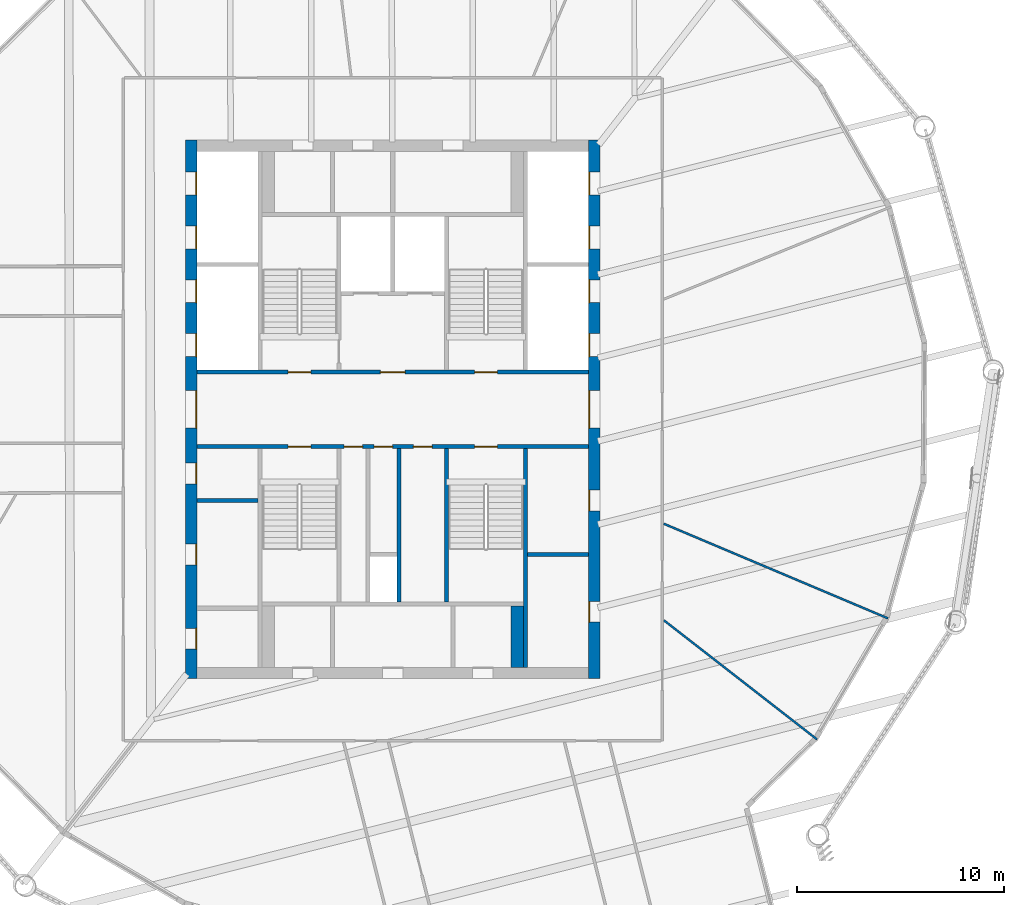
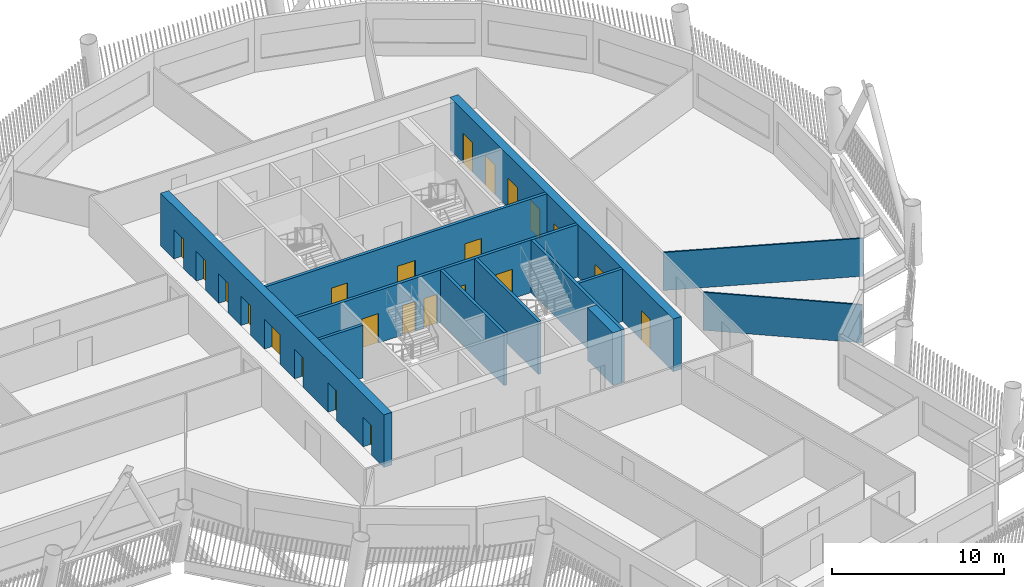
# One storey, part 5 of 22: 23 doors, 12 walls, 23 openings.
"""IFC4 building model written with IfcOpenShell, lengths in metres."""

from ifc_helpers import new_model, si_unit, direction, frame, frame_2d, origin, place, context, subcontext, project, spatial, rectangle, extrude, material, layer, layer_set, type_object, element, fill, save


model = new_model("IFC4")

# Units and contexts
model_context = context("Model", 3, precision=1e-05, world=origin(), true_north=direction((0.0, 1.0)))
body_context = subcontext(model_context, "Body", "Model", "MODEL_VIEW")
ifc_project = project(units=[si_unit("LENGTHUNIT", "METRE"), si_unit("AREAUNIT", "SQUARE_METRE"), si_unit("VOLUMEUNIT", "CUBIC_METRE"), si_unit("PLANEANGLEUNIT", "RADIAN"), si_unit("MASSUNIT", "GRAM", prefix="KILO")], contexts=[model_context])

# Site, building, storey
site_placement = place(None, origin())
site = spatial("IfcSite", under=ifc_project, at=site_placement, CompositionType="ELEMENT")
building_placement = place(site_placement, origin())
building = spatial("IfcBuilding", under=site, at=building_placement, Name="Tarsis Ring Headquarters", CompositionType="ELEMENT")
storey_placement = place(building_placement, frame((0.0, 0.0, 286.39990234375)))
storey = spatial("IfcBuildingStorey", under=building, at=storey_placement, Name="L67", CompositionType="ELEMENT", Elevation=286.39990234375)

# Walls
ifc_material_1 = material(Name="Blockwork", Category="masonry")
ifc_layer_1 = layer(ifc_material_1, 0.199951171875)
ifc_layer_set_1 = layer_set([ifc_layer_1], Name="Core blockwork wall 200")
wall_type_1 = type_object("IfcWallType", Name="Core blockwork wall 200", PredefinedType="PARTITIONING", material=ifc_layer_set_1)
for number, where, z_axis, x_axis, name in (
    (1, (-9.449951171875, -4.39990234375, 0.0), (0.0, 0.0, 1.0), (1.0, 0.0, 0.0), "Core partition WD3"),
    (2, (6.5, -7.0, 0.0), (0.0, 0.0, 1.0), (1.0, 0.0, 0.0), "Core partition ED2"),
):
    element("IfcWall", number, at=place(storey_placement, frame(where, z_axis=z_axis, x_axis=x_axis)), inside=storey, type_object=wall_type_1, Name=name, PredefinedType="PARTITIONING", context=body_context, shape_type="SweptSolid", body=[
        extrude(rectangle(XDim=2.949951171875, YDim=0.199951171875, at=frame_2d((1.47509765625, 0.0))), origin(), (0.0, 0.0, 1.0), 3.739990234375),
    ])
wall_1_placement = place(storey_placement, frame((0.300048828125, -9.300048828125, 0.0), z_axis=(0.0, 0.0, 1.0), x_axis=(0.0, 1.0, 0.0)))
element("IfcWall", 3, at=wall_1_placement, inside=storey, type_object=wall_type_1, Name="Core partition SV2", PredefinedType="PARTITIONING", context=body_context, shape_type="SweptSolid", body=[
    extrude(rectangle(XDim=7.400146484375, YDim=0.199951171875, at=frame_2d((3.7001953125, 0.0))), origin(), (0.0, 0.0, 1.0), 3.739990234375),
])

# Wall, openings, doors
ifc_material_2 = material(Name="Concrete C50/60", Category="concrete")
ifc_layer_2 = layer(ifc_material_2, 0.550048828125)
ifc_layer_set_2 = layer_set([ifc_layer_2], Name="Core wall 550 C50/60")
wall_type_2 = type_object("IfcWallType", Name="Core wall 550 C50/60", PredefinedType="SHEAR", material=ifc_layer_set_2)
wall_2_placement = place(storey_placement, frame((-9.72509765625, -13.0, 0.0), z_axis=(0.0, 0.0, 1.0), x_axis=(0.0, 1.0, 0.0)))
wall_2 = element("IfcWall", 4, at=wall_2_placement, inside=storey, type_object=wall_type_2, Name="Core wall OW", PredefinedType="SHEAR", context=body_context, shape_type="SweptSolid", body=[
    extrude(rectangle(XDim=26.0, YDim=0.550048828125, at=frame_2d((13.0, 0.0))), origin(), (0.0, 0.0, 1.0), 3.739990234375),
])
opening_1_placement = place(wall_2_placement, frame((1.425048828125, 0.0, 0.0)))
opening_1 = element("IfcOpeningElement", 5, at=opening_1_placement, cuts=wall_2, Name="Opening L67-C01", PredefinedType="OPENING", context=body_context, shape_type="SweptSolid", body=[
    extrude(rectangle(XDim=1.0, YDim=2.10009765625, at=frame_2d((0.5, 1.050048828125))), frame((0.0, 0.284912109375, 0.0), z_axis=(0.0, -1.0, 0.0), x_axis=(1.0, 0.0, 0.0)), (0.0, 0.0, 1.0), 0.570068359375),
])
opening_2_placement = place(wall_2_placement, frame((5.5, 0.0, 0.0)))
opening_2 = element("IfcOpeningElement", 6, at=opening_2_placement, cuts=wall_2, Name="Opening L67-C02", PredefinedType="OPENING", context=body_context, shape_type="SweptSolid", body=[
    extrude(rectangle(XDim=1.0, YDim=2.10009765625, at=frame_2d((0.5, 1.050048828125))), frame((0.0, 0.284912109375, 0.0), z_axis=(0.0, -1.0, 0.0), x_axis=(1.0, 0.0, 0.0)), (0.0, 0.0, 1.0), 0.570068359375),
])
opening_3_placement = place(wall_2_placement, frame((9.39990234375, 0.0, 0.0)))
opening_3 = element("IfcOpeningElement", 7, at=opening_3_placement, cuts=wall_2, Name="Opening L67-C03", PredefinedType="OPENING", context=body_context, shape_type="SweptSolid", body=[
    extrude(rectangle(XDim=1.0, YDim=2.10009765625, at=frame_2d((0.5, 1.050048828125))), frame((0.0, 0.284912109375, 0.0), z_axis=(0.0, -1.0, 0.0), x_axis=(1.0, 0.0, 0.0)), (0.0, 0.0, 1.0), 0.570068359375),
])
opening_4_placement = place(wall_2_placement, frame((12.10009765625, 0.0, 0.0)))
opening_4 = element("IfcOpeningElement", 8, at=opening_4_placement, cuts=wall_2, Name="Opening L67-C04", PredefinedType="OPENING", context=body_context, shape_type="SweptSolid", body=[
    extrude(rectangle(XDim=1.800048828125, YDim=2.10009765625, at=frame_2d((0.89990234375, 1.050048828125))), frame((0.0, 0.284912109375, 0.0), z_axis=(0.0, -1.0, 0.0), x_axis=(1.0, 0.0, 0.0)), (0.0, 0.0, 1.0), 0.570068359375),
])
opening_5_placement = place(wall_2_placement, frame((15.550048828125, 0.0, 0.0)))
opening_5 = element("IfcOpeningElement", 9, at=opening_5_placement, cuts=wall_2, Name="Opening LD-HR1", PredefinedType="OPENING", context=body_context, shape_type="SweptSolid", body=[
    extrude(rectangle(XDim=1.10009765625, YDim=2.10009765625, at=frame_2d((0.550048828125, 1.050048828125))), frame((0.0, 0.284912109375, 0.0), z_axis=(0.0, -1.0, 0.0), x_axis=(1.0, 0.0, 0.0)), (0.0, 0.0, 1.0), 0.570068359375),
])
opening_6_placement = place(wall_2_placement, frame((18.14990234375, 0.0, 0.0)))
opening_6 = element("IfcOpeningElement", 10, at=opening_6_placement, cuts=wall_2, Name="Opening LD-HR2", PredefinedType="OPENING", context=body_context, shape_type="SweptSolid", body=[
    extrude(rectangle(XDim=1.10009765625, YDim=2.10009765625, at=frame_2d((0.550048828125, 1.050048828125))), frame((0.0, 0.284912109375, 0.0), z_axis=(0.0, -1.0, 0.0), x_axis=(1.0, 0.0, 0.0)), (0.0, 0.0, 1.0), 0.570068359375),
])
opening_7_placement = place(wall_2_placement, frame((20.75, 0.0, 0.0)))
opening_7 = element("IfcOpeningElement", 11, at=opening_7_placement, cuts=wall_2, Name="Opening LD-HR3", PredefinedType="OPENING", context=body_context, shape_type="SweptSolid", body=[
    extrude(rectangle(XDim=1.10009765625, YDim=2.10009765625, at=frame_2d((0.550048828125, 1.050048828125))), frame((0.0, 0.284912109375, 0.0), z_axis=(0.0, -1.0, 0.0), x_axis=(1.0, 0.0, 0.0)), (0.0, 0.0, 1.0), 0.570068359375),
])
opening_8_placement = place(wall_2_placement, frame((23.35009765625, 0.0, 0.0)))
opening_8 = element("IfcOpeningElement", 12, at=opening_8_placement, cuts=wall_2, Name="Opening LD-HR4", PredefinedType="OPENING", context=body_context, shape_type="SweptSolid", body=[
    extrude(rectangle(XDim=1.10009765625, YDim=2.10009765625, at=frame_2d((0.550048828125, 1.050048828125))), frame((0.0, 0.284912109375, 0.0), z_axis=(0.0, -1.0, 0.0), x_axis=(1.0, 0.0, 0.0)), (0.0, 0.0, 1.0), 0.570068359375),
])
ifc_material_3 = material(Name="Steel S355", Category="steel")
door_type_1 = type_object("IfcDoorType", Name="Core entry door 1800x2100", OperationType="DOUBLE_DOOR_SINGLE_SWING", PredefinedType="DOOR", material=ifc_material_3)
door_1_placement = place(opening_4_placement, origin())
door_1 = element("IfcDoor", 13, at=door_1_placement, inside=storey, type_object=door_type_1, Name="Core entry door L67", OperationType="DOUBLE_DOOR_SINGLE_SWING", OverallHeight=2.10009765625, OverallWidth=1.800048828125, PredefinedType="DOOR", context=body_context, shape_type="SweptSolid", body=[
    extrude(rectangle(XDim=1.800048828125, YDim=2.10009765625, at=frame_2d((0.89990234375, 1.050048828125))), frame((0.0, -0.22509765625, 0.0), z_axis=(0.0, -1.0, 0.0), x_axis=(1.0, 0.0, 0.0)), (0.0, 0.0, 1.0), 0.050048828125),
])
fill(opening_4, door_1)
door_type_2 = type_object("IfcDoorType", Name="Core room door 1000x2100", OperationType="SINGLE_SWING_LEFT", PredefinedType="DOOR", material=ifc_material_3)
door_2_placement = place(opening_1_placement, origin())
door_2 = element("IfcDoor", 14, at=door_2_placement, inside=storey, type_object=door_type_2, Name="Core room door L67", OperationType="SINGLE_SWING_LEFT", OverallHeight=2.10009765625, OverallWidth=1.0, PredefinedType="DOOR", context=body_context, shape_type="SweptSolid", body=[
    extrude(rectangle(XDim=1.0, YDim=2.10009765625, at=frame_2d((0.5, 1.050048828125))), frame((0.0, -0.22509765625, 0.0), z_axis=(0.0, -1.0, 0.0), x_axis=(1.0, 0.0, 0.0)), (0.0, 0.0, 1.0), 0.050048828125),
])
fill(opening_1, door_2)
door_3_placement = place(opening_2_placement, origin())
door_3 = element("IfcDoor", 15, at=door_3_placement, inside=storey, type_object=door_type_2, Name="Core room door L67", OperationType="SINGLE_SWING_LEFT", OverallHeight=2.10009765625, OverallWidth=1.0, PredefinedType="DOOR", context=body_context, shape_type="SweptSolid", body=[
    extrude(rectangle(XDim=1.0, YDim=2.10009765625, at=frame_2d((0.5, 1.050048828125))), frame((0.0, -0.22509765625, 0.0), z_axis=(0.0, -1.0, 0.0), x_axis=(1.0, 0.0, 0.0)), (0.0, 0.0, 1.0), 0.050048828125),
])
fill(opening_2, door_3)
door_4_placement = place(opening_3_placement, origin())
door_4 = element("IfcDoor", 16, at=door_4_placement, inside=storey, type_object=door_type_2, Name="Core room door L67", OperationType="SINGLE_SWING_LEFT", OverallHeight=2.10009765625, OverallWidth=1.0, PredefinedType="DOOR", context=body_context, shape_type="SweptSolid", body=[
    extrude(rectangle(XDim=1.0, YDim=2.10009765625, at=frame_2d((0.5, 1.050048828125))), frame((0.0, -0.22509765625, 0.0), z_axis=(0.0, -1.0, 0.0), x_axis=(1.0, 0.0, 0.0)), (0.0, 0.0, 1.0), 0.050048828125),
])
fill(opening_3, door_4)
door_type_3 = type_object("IfcDoorType", Name="Landing door 1100x2100", OperationType="SLIDING_TO_LEFT", PredefinedType="DOOR", material=ifc_material_3)
door_5_placement = place(opening_5_placement, origin())
door_5 = element("IfcDoor", 17, at=door_5_placement, inside=storey, type_object=door_type_3, Name="Landing door HR1 L67", OperationType="SLIDING_TO_LEFT", OverallHeight=2.10009765625, OverallWidth=1.10009765625, PredefinedType="DOOR", context=body_context, shape_type="SweptSolid", body=[
    extrude(rectangle(XDim=1.10009765625, YDim=2.10009765625, at=frame_2d((0.550048828125, 1.050048828125))), frame((0.0, -0.22509765625, 0.0), z_axis=(0.0, -1.0, 0.0), x_axis=(1.0, 0.0, 0.0)), (0.0, 0.0, 1.0), 0.050048828125),
])
fill(opening_5, door_5)
door_6_placement = place(opening_6_placement, origin())
door_6 = element("IfcDoor", 18, at=door_6_placement, inside=storey, type_object=door_type_3, Name="Landing door HR2 L67", OperationType="SLIDING_TO_LEFT", OverallHeight=2.10009765625, OverallWidth=1.10009765625, PredefinedType="DOOR", context=body_context, shape_type="SweptSolid", body=[
    extrude(rectangle(XDim=1.10009765625, YDim=2.10009765625, at=frame_2d((0.550048828125, 1.050048828125))), frame((0.0, -0.22509765625, 0.0), z_axis=(0.0, -1.0, 0.0), x_axis=(1.0, 0.0, 0.0)), (0.0, 0.0, 1.0), 0.050048828125),
])
fill(opening_6, door_6)
door_7_placement = place(opening_7_placement, origin())
door_7 = element("IfcDoor", 19, at=door_7_placement, inside=storey, type_object=door_type_3, Name="Landing door HR3 L67", OperationType="SLIDING_TO_LEFT", OverallHeight=2.10009765625, OverallWidth=1.10009765625, PredefinedType="DOOR", context=body_context, shape_type="SweptSolid", body=[
    extrude(rectangle(XDim=1.10009765625, YDim=2.10009765625, at=frame_2d((0.550048828125, 1.050048828125))), frame((0.0, -0.22509765625, 0.0), z_axis=(0.0, -1.0, 0.0), x_axis=(1.0, 0.0, 0.0)), (0.0, 0.0, 1.0), 0.050048828125),
])
fill(opening_7, door_7)
door_8_placement = place(opening_8_placement, origin())
door_8 = element("IfcDoor", 20, at=door_8_placement, inside=storey, type_object=door_type_3, Name="Landing door HR4 L67", OperationType="SLIDING_TO_LEFT", OverallHeight=2.10009765625, OverallWidth=1.10009765625, PredefinedType="DOOR", context=body_context, shape_type="SweptSolid", body=[
    extrude(rectangle(XDim=1.10009765625, YDim=2.10009765625, at=frame_2d((0.550048828125, 1.050048828125))), frame((0.0, -0.22509765625, 0.0), z_axis=(0.0, -1.0, 0.0), x_axis=(1.0, 0.0, 0.0)), (0.0, 0.0, 1.0), 0.050048828125),
])
fill(opening_8, door_8)

wall_3_placement = place(storey_placement, frame((9.72509765625, -13.0, 0.0), z_axis=(0.0, 0.0, 1.0), x_axis=(0.0, 1.0, 0.0)))
wall_3 = element("IfcWall", 21, at=wall_3_placement, inside=storey, type_object=wall_type_2, Name="Core wall OE", PredefinedType="SHEAR", context=body_context, shape_type="SweptSolid", body=[
    extrude(rectangle(XDim=26.0, YDim=0.550048828125, at=frame_2d((13.0, 0.0))), origin(), (0.0, 0.0, 1.0), 3.739990234375),
])
opening_9_placement = place(wall_3_placement, frame((2.72509765625, 0.0, 0.0)))
opening_9 = element("IfcOpeningElement", 22, at=opening_9_placement, cuts=wall_3, Name="Opening L67-C09", PredefinedType="OPENING", context=body_context, shape_type="SweptSolid", body=[
    extrude(rectangle(XDim=1.0, YDim=2.10009765625, at=frame_2d((0.5, 1.050048828125))), frame((0.0, 0.284912109375, 0.0), z_axis=(0.0, -1.0, 0.0), x_axis=(1.0, 0.0, 0.0)), (0.0, 0.0, 1.0), 0.570068359375),
])
opening_10_placement = place(wall_3_placement, frame((8.10009765625, 0.0, 0.0)))
opening_10 = element("IfcOpeningElement", 23, at=opening_10_placement, cuts=wall_3, Name="Opening L67-C10", PredefinedType="OPENING", context=body_context, shape_type="SweptSolid", body=[
    extrude(rectangle(XDim=1.0, YDim=2.10009765625, at=frame_2d((0.5, 1.050048828125))), frame((0.0, 0.284912109375, 0.0), z_axis=(0.0, -1.0, 0.0), x_axis=(1.0, 0.0, 0.0)), (0.0, 0.0, 1.0), 0.570068359375),
])
opening_11_placement = place(wall_3_placement, frame((12.10009765625, 0.0, 0.0)))
opening_11 = element("IfcOpeningElement", 24, at=opening_11_placement, cuts=wall_3, Name="Opening L67-C11", PredefinedType="OPENING", context=body_context, shape_type="SweptSolid", body=[
    extrude(rectangle(XDim=1.800048828125, YDim=2.10009765625, at=frame_2d((0.89990234375, 1.050048828125))), frame((0.0, 0.284912109375, 0.0), z_axis=(0.0, -1.0, 0.0), x_axis=(1.0, 0.0, 0.0)), (0.0, 0.0, 1.0), 0.570068359375),
])
opening_12_placement = place(wall_3_placement, frame((15.550048828125, 0.0, 0.0)))
opening_12 = element("IfcOpeningElement", 25, at=opening_12_placement, cuts=wall_3, Name="Opening LD-HR5", PredefinedType="OPENING", context=body_context, shape_type="SweptSolid", body=[
    extrude(rectangle(XDim=1.10009765625, YDim=2.10009765625, at=frame_2d((0.550048828125, 1.050048828125))), frame((0.0, 0.284912109375, 0.0), z_axis=(0.0, -1.0, 0.0), x_axis=(1.0, 0.0, 0.0)), (0.0, 0.0, 1.0), 0.570068359375),
])
opening_13_placement = place(wall_3_placement, frame((18.14990234375, 0.0, 0.0)))
opening_13 = element("IfcOpeningElement", 26, at=opening_13_placement, cuts=wall_3, Name="Opening LD-HR6", PredefinedType="OPENING", context=body_context, shape_type="SweptSolid", body=[
    extrude(rectangle(XDim=1.10009765625, YDim=2.10009765625, at=frame_2d((0.550048828125, 1.050048828125))), frame((0.0, 0.284912109375, 0.0), z_axis=(0.0, -1.0, 0.0), x_axis=(1.0, 0.0, 0.0)), (0.0, 0.0, 1.0), 0.570068359375),
])
opening_14_placement = place(wall_3_placement, frame((20.75, 0.0, 0.0)))
opening_14 = element("IfcOpeningElement", 27, at=opening_14_placement, cuts=wall_3, Name="Opening LD-HR7", PredefinedType="OPENING", context=body_context, shape_type="SweptSolid", body=[
    extrude(rectangle(XDim=1.10009765625, YDim=2.10009765625, at=frame_2d((0.550048828125, 1.050048828125))), frame((0.0, 0.284912109375, 0.0), z_axis=(0.0, -1.0, 0.0), x_axis=(1.0, 0.0, 0.0)), (0.0, 0.0, 1.0), 0.570068359375),
])
opening_15_placement = place(wall_3_placement, frame((23.35009765625, 0.0, 0.0)))
opening_15 = element("IfcOpeningElement", 28, at=opening_15_placement, cuts=wall_3, Name="Opening LD-HR8", PredefinedType="OPENING", context=body_context, shape_type="SweptSolid", body=[
    extrude(rectangle(XDim=1.10009765625, YDim=2.10009765625, at=frame_2d((0.550048828125, 1.050048828125))), frame((0.0, 0.284912109375, 0.0), z_axis=(0.0, -1.0, 0.0), x_axis=(1.0, 0.0, 0.0)), (0.0, 0.0, 1.0), 0.570068359375),
])
door_9_placement = place(opening_11_placement, origin())
door_9 = element("IfcDoor", 29, at=door_9_placement, inside=storey, type_object=door_type_1, Name="Core entry door L67", OperationType="DOUBLE_DOOR_SINGLE_SWING", OverallHeight=2.10009765625, OverallWidth=1.800048828125, PredefinedType="DOOR", context=body_context, shape_type="SweptSolid", body=[
    extrude(rectangle(XDim=1.800048828125, YDim=2.10009765625, at=frame_2d((0.89990234375, 1.050048828125))), frame((0.0, 0.27490234375, 0.0), z_axis=(0.0, -1.0, 0.0), x_axis=(1.0, 0.0, 0.0)), (0.0, 0.0, 1.0), 0.050048828125),
])
fill(opening_11, door_9)
door_10_placement = place(opening_9_placement, origin())
door_10 = element("IfcDoor", 30, at=door_10_placement, inside=storey, type_object=door_type_2, Name="Core room door L67", OperationType="SINGLE_SWING_LEFT", OverallHeight=2.10009765625, OverallWidth=1.0, PredefinedType="DOOR", context=body_context, shape_type="SweptSolid", body=[
    extrude(rectangle(XDim=1.0, YDim=2.10009765625, at=frame_2d((0.5, 1.050048828125))), frame((0.0, 0.27490234375, 0.0), z_axis=(0.0, -1.0, 0.0), x_axis=(1.0, 0.0, 0.0)), (0.0, 0.0, 1.0), 0.050048828125),
])
fill(opening_9, door_10)
door_11_placement = place(opening_10_placement, origin())
door_11 = element("IfcDoor", 31, at=door_11_placement, inside=storey, type_object=door_type_2, Name="Core room door L67", OperationType="SINGLE_SWING_LEFT", OverallHeight=2.10009765625, OverallWidth=1.0, PredefinedType="DOOR", context=body_context, shape_type="SweptSolid", body=[
    extrude(rectangle(XDim=1.0, YDim=2.10009765625, at=frame_2d((0.5, 1.050048828125))), frame((0.0, 0.27490234375, 0.0), z_axis=(0.0, -1.0, 0.0), x_axis=(1.0, 0.0, 0.0)), (0.0, 0.0, 1.0), 0.050048828125),
])
fill(opening_10, door_11)
door_12_placement = place(opening_12_placement, origin())
door_12 = element("IfcDoor", 32, at=door_12_placement, inside=storey, type_object=door_type_3, Name="Landing door HR5 L67", OperationType="SLIDING_TO_LEFT", OverallHeight=2.10009765625, OverallWidth=1.10009765625, PredefinedType="DOOR", context=body_context, shape_type="SweptSolid", body=[
    extrude(rectangle(XDim=1.10009765625, YDim=2.10009765625, at=frame_2d((0.550048828125, 1.050048828125))), frame((0.0, 0.27490234375, 0.0), z_axis=(0.0, -1.0, 0.0), x_axis=(1.0, 0.0, 0.0)), (0.0, 0.0, 1.0), 0.050048828125),
])
fill(opening_12, door_12)
door_13_placement = place(opening_13_placement, origin())
door_13 = element("IfcDoor", 33, at=door_13_placement, inside=storey, type_object=door_type_3, Name="Landing door HR6 L67", OperationType="SLIDING_TO_LEFT", OverallHeight=2.10009765625, OverallWidth=1.10009765625, PredefinedType="DOOR", context=body_context, shape_type="SweptSolid", body=[
    extrude(rectangle(XDim=1.10009765625, YDim=2.10009765625, at=frame_2d((0.550048828125, 1.050048828125))), frame((0.0, 0.27490234375, 0.0), z_axis=(0.0, -1.0, 0.0), x_axis=(1.0, 0.0, 0.0)), (0.0, 0.0, 1.0), 0.050048828125),
])
fill(opening_13, door_13)
door_14_placement = place(opening_14_placement, origin())
door_14 = element("IfcDoor", 34, at=door_14_placement, inside=storey, type_object=door_type_3, Name="Landing door HR7 L67", OperationType="SLIDING_TO_LEFT", OverallHeight=2.10009765625, OverallWidth=1.10009765625, PredefinedType="DOOR", context=body_context, shape_type="SweptSolid", body=[
    extrude(rectangle(XDim=1.10009765625, YDim=2.10009765625, at=frame_2d((0.550048828125, 1.050048828125))), frame((0.0, 0.27490234375, 0.0), z_axis=(0.0, -1.0, 0.0), x_axis=(1.0, 0.0, 0.0)), (0.0, 0.0, 1.0), 0.050048828125),
])
fill(opening_14, door_14)
door_15_placement = place(opening_15_placement, origin())
door_15 = element("IfcDoor", 35, at=door_15_placement, inside=storey, type_object=door_type_3, Name="Landing door HR8 L67", OperationType="SLIDING_TO_LEFT", OverallHeight=2.10009765625, OverallWidth=1.10009765625, PredefinedType="DOOR", context=body_context, shape_type="SweptSolid", body=[
    extrude(rectangle(XDim=1.10009765625, YDim=2.10009765625, at=frame_2d((0.550048828125, 1.050048828125))), frame((0.0, 0.27490234375, 0.0), z_axis=(0.0, -1.0, 0.0), x_axis=(1.0, 0.0, 0.0)), (0.0, 0.0, 1.0), 0.050048828125),
])
fill(opening_15, door_15)

# Walls
ifc_material_4 = material(Name="Gypsum board on steel studs", Category="steel")
ifc_layer_3 = layer(ifc_material_4, 0.10009765625)
ifc_layer_set_3 = layer_set([ifc_layer_3], Name="FL partition 100 unrated")
wall_type_3 = type_object("IfcWallType", Name="FL partition 100 unrated", PredefinedType="PARTITIONING", material=ifc_layer_set_3)
wall_4_placement = place(storey_placement, frame((13.07373046875, -5.51708984375, 0.0), z_axis=(0.0, 0.0, 1.0), x_axis=(0.92131651426, -0.388813426403, 0.0)))
element("IfcWall", 36, at=wall_4_placement, inside=storey, type_object=wall_type_3, Name="Partition PW3", PredefinedType="PARTITIONING", context=body_context, shape_type="SweptSolid", body=[
    extrude(rectangle(XDim=11.757568359375, YDim=0.10009765625, at=frame_2d((5.87890625, 0.0))), origin(), (0.0, 0.0, 1.0), 2.7001953125),
])
wall_5_placement = place(storey_placement, frame((13.0869140625, -10.180419921875, 0.0), z_axis=(0.0, 0.0, 1.0), x_axis=(0.789301693622, -0.614005567113, 0.0)))
element("IfcWall", 37, at=wall_5_placement, inside=storey, type_object=wall_type_3, Name="Partition PW3", PredefinedType="PARTITIONING", context=body_context, shape_type="SweptSolid", body=[
    extrude(rectangle(XDim=9.367431640625, YDim=0.10009765625, at=frame_2d((4.68359375, 0.0))), origin(), (0.0, 0.0, 1.0), 2.7001953125),
])
ifc_material_5 = material(Name="Concrete C32/40", Category="concrete")
ifc_layer_4 = layer(ifc_material_5, 0.60009765625)
ifc_layer_set_4 = layer_set([ifc_layer_4], Name="Shaft end wall 600 C32/40")
wall_type_4 = type_object("IfcWallType", Name="Shaft end wall 600 C32/40", PredefinedType="SOLIDWALL", material=ifc_layer_set_4)
wall_6_placement = place(storey_placement, frame((6.0, -12.449951171875, 0.0), z_axis=(0.0, 0.0, 1.0), x_axis=(0.0, 1.0, 0.0)))
element("IfcWall", 38, at=wall_6_placement, inside=storey, type_object=wall_type_4, Name="Core shaft wall SNE2", PredefinedType="SOLIDWALL", context=body_context, shape_type="SweptSolid", body=[
    extrude(rectangle(XDim=2.949951171875, YDim=0.60009765625, at=frame_2d((1.47509765625, 0.0))), origin(), (0.0, 0.0, 1.0), 3.739990234375),
])

# Wall, openings, doors
ifc_layer_5 = layer(ifc_material_5, 0.199951171875)
ifc_layer_set_5 = layer_set([ifc_layer_5], Name="Shaft wall 200 C32/40")
wall_type_5 = type_object("IfcWallType", Name="Shaft wall 200 C32/40", PredefinedType="SOLIDWALL", material=ifc_layer_set_5)
wall_7_placement = place(storey_placement, frame((-9.449951171875, 1.800048828125, 0.0), z_axis=(0.0, 0.0, 1.0), x_axis=(1.0, 0.0, 0.0)))
wall_7 = element("IfcWall", 39, at=wall_7_placement, inside=storey, type_object=wall_type_5, Name="Core shaft wall CN", PredefinedType="SOLIDWALL", context=body_context, shape_type="SweptSolid", body=[
    extrude(rectangle(XDim=18.89990234375, YDim=0.199951171875, at=frame_2d((9.449951171875, 0.0))), origin(), (0.0, 0.0, 1.0), 3.739990234375),
])
opening_16_placement = place(wall_7_placement, frame((4.39990234375, 0.0, 0.0)))
opening_16 = element("IfcOpeningElement", 40, at=opening_16_placement, cuts=wall_7, Name="Opening L67-C22", PredefinedType="OPENING", context=body_context, shape_type="SweptSolid", body=[
    extrude(rectangle(XDim=1.10009765625, YDim=2.10009765625, at=frame_2d((0.550048828125, 1.050048828125))), frame((0.0, 0.10986328125, 0.0), z_axis=(0.0, -1.0, 0.0), x_axis=(1.0, 0.0, 0.0)), (0.0, 0.0, 1.0), 0.219970703125),
])
opening_17_placement = place(wall_7_placement, frame((8.85009765625, 0.0, 0.0)))
opening_17 = element("IfcOpeningElement", 41, at=opening_17_placement, cuts=wall_7, Name="Opening L67-C23", PredefinedType="OPENING", context=body_context, shape_type="SweptSolid", body=[
    extrude(rectangle(XDim=1.199951171875, YDim=2.10009765625, at=frame_2d((0.60009765625, 1.050048828125))), frame((0.0, 0.10986328125, 0.0), z_axis=(0.0, -1.0, 0.0), x_axis=(1.0, 0.0, 0.0)), (0.0, 0.0, 1.0), 0.219970703125),
])
opening_18_placement = place(wall_7_placement, frame((13.39990234375, 0.0, 0.0)))
opening_18 = element("IfcOpeningElement", 42, at=opening_18_placement, cuts=wall_7, Name="Opening L67-C24", PredefinedType="OPENING", context=body_context, shape_type="SweptSolid", body=[
    extrude(rectangle(XDim=1.10009765625, YDim=2.10009765625, at=frame_2d((0.550048828125, 1.050048828125))), frame((0.0, 0.10986328125, 0.0), z_axis=(0.0, -1.0, 0.0), x_axis=(1.0, 0.0, 0.0)), (0.0, 0.0, 1.0), 0.219970703125),
])
door_type_4 = type_object("IfcDoorType", Name="Firefighting lobby door 1200x2100", OperationType="DOUBLE_DOOR_SINGLE_SWING", PredefinedType="DOOR", material=ifc_material_3)
door_16_placement = place(opening_17_placement, origin())
door_16 = element("IfcDoor", 43, at=door_16_placement, inside=storey, type_object=door_type_4, Name="Firefighting lobby door L67", OperationType="DOUBLE_DOOR_SINGLE_SWING", OverallHeight=2.10009765625, OverallWidth=1.199951171875, PredefinedType="DOOR", context=body_context, shape_type="SweptSolid", body=[
    extrude(rectangle(XDim=1.199951171875, YDim=2.10009765625, at=frame_2d((0.60009765625, 1.050048828125))), frame((0.0, 0.02490234375, 0.0), z_axis=(0.0, -1.0, 0.0), x_axis=(1.0, 0.0, 0.0)), (0.0, 0.0, 1.0), 0.050048828125),
])
fill(opening_17, door_16)
door_type_5 = type_object("IfcDoorType", Name="Stair door 1100x2100", OperationType="SINGLE_SWING_LEFT", PredefinedType="DOOR", material=ifc_material_3)
door_17_placement = place(opening_16_placement, origin())
door_17 = element("IfcDoor", 44, at=door_17_placement, inside=storey, type_object=door_type_5, Name="Stair door L67", OperationType="SINGLE_SWING_LEFT", OverallHeight=2.10009765625, OverallWidth=1.10009765625, PredefinedType="DOOR", context=body_context, shape_type="SweptSolid", body=[
    extrude(rectangle(XDim=1.10009765625, YDim=2.10009765625, at=frame_2d((0.550048828125, 1.050048828125))), frame((0.0, 0.02490234375, 0.0), z_axis=(0.0, -1.0, 0.0), x_axis=(1.0, 0.0, 0.0)), (0.0, 0.0, 1.0), 0.050048828125),
])
fill(opening_16, door_17)
door_18_placement = place(opening_18_placement, origin())
door_18 = element("IfcDoor", 45, at=door_18_placement, inside=storey, type_object=door_type_5, Name="Stair door L67", OperationType="SINGLE_SWING_LEFT", OverallHeight=2.10009765625, OverallWidth=1.10009765625, PredefinedType="DOOR", context=body_context, shape_type="SweptSolid", body=[
    extrude(rectangle(XDim=1.10009765625, YDim=2.10009765625, at=frame_2d((0.550048828125, 1.050048828125))), frame((0.0, 0.02490234375, 0.0), z_axis=(0.0, -1.0, 0.0), x_axis=(1.0, 0.0, 0.0)), (0.0, 0.0, 1.0), 0.050048828125),
])
fill(opening_18, door_18)

wall_8_placement = place(storey_placement, frame((-9.449951171875, -1.800048828125, 0.0), z_axis=(0.0, 0.0, 1.0), x_axis=(1.0, 0.0, 0.0)))
wall_8 = element("IfcWall", 46, at=wall_8_placement, inside=storey, type_object=wall_type_5, Name="Core shaft wall CS", PredefinedType="SOLIDWALL", context=body_context, shape_type="SweptSolid", body=[
    extrude(rectangle(XDim=18.89990234375, YDim=0.199951171875, at=frame_2d((9.449951171875, 0.0))), origin(), (0.0, 0.0, 1.0), 3.739990234375),
])
opening_19_placement = place(wall_8_placement, frame((4.39990234375, 0.0, 0.0)))
opening_19 = element("IfcOpeningElement", 47, at=opening_19_placement, cuts=wall_8, Name="Opening L67-C25", PredefinedType="OPENING", context=body_context, shape_type="SweptSolid", body=[
    extrude(rectangle(XDim=1.10009765625, YDim=2.10009765625, at=frame_2d((0.550048828125, 1.050048828125))), frame((0.0, 0.10986328125, 0.0), z_axis=(0.0, -1.0, 0.0), x_axis=(1.0, 0.0, 0.0)), (0.0, 0.0, 1.0), 0.219970703125),
])
opening_20_placement = place(wall_8_placement, frame((7.10009765625, 0.0, 0.0)))
opening_20 = element("IfcOpeningElement", 48, at=opening_20_placement, cuts=wall_8, Name="Opening L67-C26", PredefinedType="OPENING", context=body_context, shape_type="SweptSolid", body=[
    extrude(rectangle(XDim=0.89990234375, YDim=2.10009765625, at=frame_2d((0.449951171875, 1.050048828125))), frame((0.0, 0.10986328125, 0.0), z_axis=(0.0, -1.0, 0.0), x_axis=(1.0, 0.0, 0.0)), (0.0, 0.0, 1.0), 0.219970703125),
])
opening_21_placement = place(wall_8_placement, frame((8.550048828125, 0.0, 0.0)))
opening_21 = element("IfcOpeningElement", 49, at=opening_21_placement, cuts=wall_8, Name="Opening L67-C27", PredefinedType="OPENING", context=body_context, shape_type="SweptSolid", body=[
    extrude(rectangle(XDim=0.89990234375, YDim=2.10009765625, at=frame_2d((0.449951171875, 1.050048828125))), frame((0.0, 0.10986328125, 0.0), z_axis=(0.0, -1.0, 0.0), x_axis=(1.0, 0.0, 0.0)), (0.0, 0.0, 1.0), 0.219970703125),
])
opening_22_placement = place(wall_8_placement, frame((10.449951171875, 0.0, 0.0)))
opening_22 = element("IfcOpeningElement", 50, at=opening_22_placement, cuts=wall_8, Name="Opening L67-C28", PredefinedType="OPENING", context=body_context, shape_type="SweptSolid", body=[
    extrude(rectangle(XDim=0.89990234375, YDim=2.10009765625, at=frame_2d((0.449951171875, 1.050048828125))), frame((0.0, 0.10986328125, 0.0), z_axis=(0.0, -1.0, 0.0), x_axis=(1.0, 0.0, 0.0)), (0.0, 0.0, 1.0), 0.219970703125),
])
opening_23_placement = place(wall_8_placement, frame((13.39990234375, 0.0, 0.0)))
opening_23 = element("IfcOpeningElement", 51, at=opening_23_placement, cuts=wall_8, Name="Opening L67-C29", PredefinedType="OPENING", context=body_context, shape_type="SweptSolid", body=[
    extrude(rectangle(XDim=1.10009765625, YDim=2.10009765625, at=frame_2d((0.550048828125, 1.050048828125))), frame((0.0, 0.10986328125, 0.0), z_axis=(0.0, -1.0, 0.0), x_axis=(1.0, 0.0, 0.0)), (0.0, 0.0, 1.0), 0.219970703125),
])
door_19_placement = place(opening_19_placement, origin())
door_19 = element("IfcDoor", 52, at=door_19_placement, inside=storey, type_object=door_type_5, Name="Stair door L67", OperationType="SINGLE_SWING_LEFT", OverallHeight=2.10009765625, OverallWidth=1.10009765625, PredefinedType="DOOR", context=body_context, shape_type="SweptSolid", body=[
    extrude(rectangle(XDim=1.10009765625, YDim=2.10009765625, at=frame_2d((0.550048828125, 1.050048828125))), frame((0.0, 0.02490234375, 0.0), z_axis=(0.0, -1.0, 0.0), x_axis=(1.0, 0.0, 0.0)), (0.0, 0.0, 1.0), 0.050048828125),
])
fill(opening_19, door_19)
door_20_placement = place(opening_23_placement, origin())
door_20 = element("IfcDoor", 53, at=door_20_placement, inside=storey, type_object=door_type_5, Name="Stair door L67", OperationType="SINGLE_SWING_LEFT", OverallHeight=2.10009765625, OverallWidth=1.10009765625, PredefinedType="DOOR", context=body_context, shape_type="SweptSolid", body=[
    extrude(rectangle(XDim=1.10009765625, YDim=2.10009765625, at=frame_2d((0.550048828125, 1.050048828125))), frame((0.0, 0.02490234375, 0.0), z_axis=(0.0, -1.0, 0.0), x_axis=(1.0, 0.0, 0.0)), (0.0, 0.0, 1.0), 0.050048828125),
])
fill(opening_23, door_20)
door_type_6 = type_object("IfcDoorType", Name="WC door 900x2100", OperationType="SINGLE_SWING_LEFT", PredefinedType="DOOR", material=ifc_material_3)
door_21_placement = place(opening_20_placement, origin())
door_21 = element("IfcDoor", 54, at=door_21_placement, inside=storey, type_object=door_type_6, Name="WC door L67", OperationType="SINGLE_SWING_LEFT", OverallHeight=2.10009765625, OverallWidth=0.89990234375, PredefinedType="DOOR", context=body_context, shape_type="SweptSolid", body=[
    extrude(rectangle(XDim=0.89990234375, YDim=2.10009765625, at=frame_2d((0.449951171875, 1.050048828125))), frame((0.0, 0.02490234375, 0.0), z_axis=(0.0, -1.0, 0.0), x_axis=(1.0, 0.0, 0.0)), (0.0, 0.0, 1.0), 0.050048828125),
])
fill(opening_20, door_21)
door_22_placement = place(opening_21_placement, origin())
door_22 = element("IfcDoor", 55, at=door_22_placement, inside=storey, type_object=door_type_6, Name="WC door L67", OperationType="SINGLE_SWING_LEFT", OverallHeight=2.10009765625, OverallWidth=0.89990234375, PredefinedType="DOOR", context=body_context, shape_type="SweptSolid", body=[
    extrude(rectangle(XDim=0.89990234375, YDim=2.10009765625, at=frame_2d((0.449951171875, 1.050048828125))), frame((0.0, 0.02490234375, 0.0), z_axis=(0.0, -1.0, 0.0), x_axis=(1.0, 0.0, 0.0)), (0.0, 0.0, 1.0), 0.050048828125),
])
fill(opening_21, door_22)
door_23_placement = place(opening_22_placement, origin())
door_23 = element("IfcDoor", 56, at=door_23_placement, inside=storey, type_object=door_type_6, Name="WC door L67", OperationType="SINGLE_SWING_LEFT", OverallHeight=2.10009765625, OverallWidth=0.89990234375, PredefinedType="DOOR", context=body_context, shape_type="SweptSolid", body=[
    extrude(rectangle(XDim=0.89990234375, YDim=2.10009765625, at=frame_2d((0.449951171875, 1.050048828125))), frame((0.0, 0.02490234375, 0.0), z_axis=(0.0, -1.0, 0.0), x_axis=(1.0, 0.0, 0.0)), (0.0, 0.0, 1.0), 0.050048828125),
])
fill(opening_22, door_23)

# Walls
wall_9_placement = place(storey_placement, frame((6.39990234375, -12.449951171875, 0.0), z_axis=(0.0, 0.0, 1.0), x_axis=(0.0, 1.0, 0.0)))
element("IfcWall", 57, at=wall_9_placement, inside=storey, type_object=wall_type_5, Name="Core shaft wall EB1", PredefinedType="SOLIDWALL", context=body_context, shape_type="SweptSolid", body=[
    extrude(rectangle(XDim=10.550048828125, YDim=0.199951171875, at=frame_2d((5.27490234375, 0.0))), origin(), (0.0, 0.0, 1.0), 3.739990234375),
])
wall_10_placement = place(storey_placement, frame((2.60009765625, -9.300048828125, 0.0), z_axis=(0.0, 0.0, 1.0), x_axis=(0.0, 1.0, 0.0)))
element("IfcWall", 58, at=wall_10_placement, inside=storey, type_object=wall_type_5, Name="Core shaft wall SW4", PredefinedType="SOLIDWALL", context=body_context, shape_type="SweptSolid", body=[
    extrude(rectangle(XDim=7.400146484375, YDim=0.199951171875, at=frame_2d((3.7001953125, 0.0))), origin(), (0.0, 0.0, 1.0), 3.739990234375),
])

save(model, "model.ifc")
